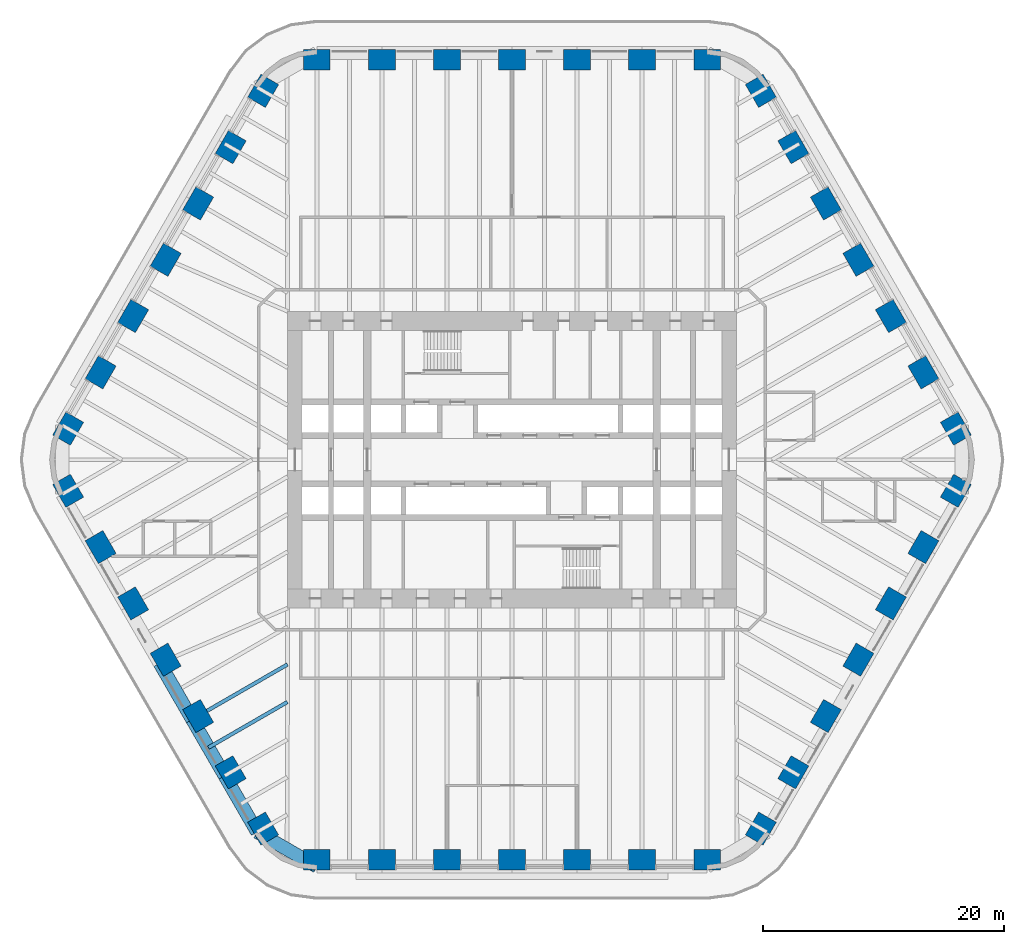
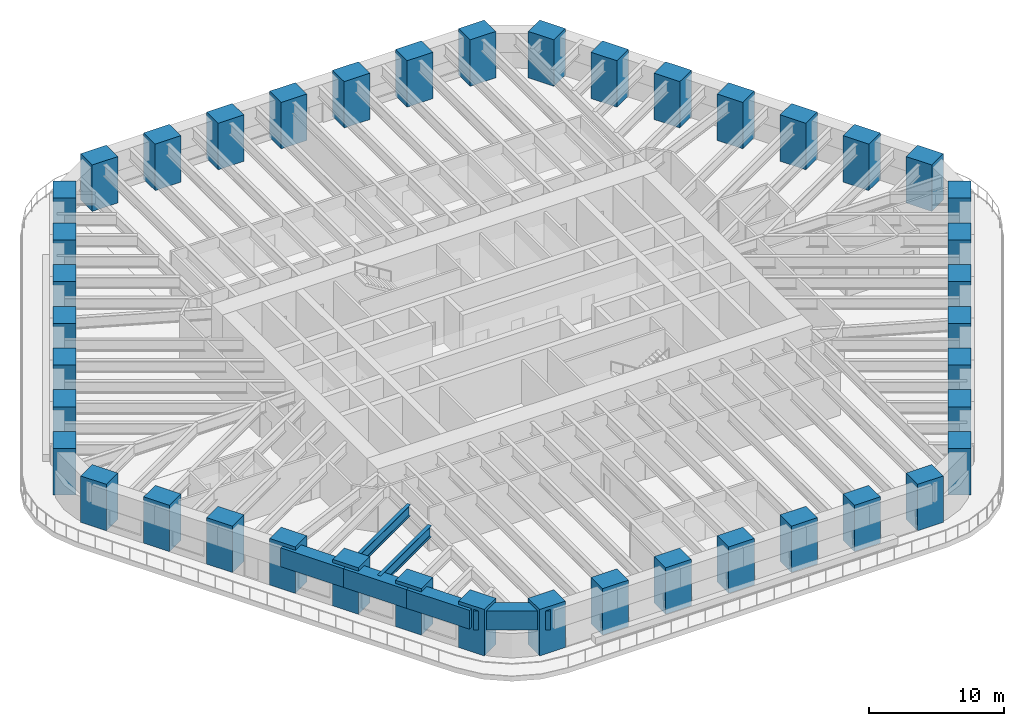
# One storey, part 1 of 16: 42 columns, 6 beams.
"""IFC4 building model written with IfcOpenShell, lengths in metres."""

from ifc_helpers import new_model, si_unit, direction, frame, origin, origin_2d, place, context, subcontext, project, spatial, rectangle, i_section, extrude, material, material_profile, profile_set, type_object, element, save


model = new_model("IFC4")

# Units and contexts
model_context = context("Model", 3, precision=1e-05, world=origin(), true_north=direction((0.0, 1.0)))
body_context = subcontext(model_context, "Body", "Model", "MODEL_VIEW")
ifc_project = project(units=[si_unit("LENGTHUNIT", "METRE"), si_unit("AREAUNIT", "SQUARE_METRE"), si_unit("VOLUMEUNIT", "CUBIC_METRE"), si_unit("PLANEANGLEUNIT", "RADIAN"), si_unit("MASSUNIT", "GRAM", prefix="KILO")], contexts=[model_context])

# Site, building, storey
site_placement = place(None, origin())
site = spatial("IfcSite", under=ifc_project, at=site_placement, CompositionType="ELEMENT")
building_placement = place(site_placement, origin())
building = spatial("IfcBuilding", under=site, at=building_placement, Name="Tarfa Lantern Tower", CompositionType="ELEMENT")
storey_placement = place(building_placement, frame((0.0, 0.0, 103.300048828125)))
storey = spatial("IfcBuildingStorey", under=building, at=storey_placement, Name="L23", CompositionType="ELEMENT", Elevation=103.300048828125)

# Columns
ifc_material_1 = material(Name="Concrete C80/95", Category="concrete")
ifc_material_profile_1 = material_profile(ifc_material_1, rectangle(XDim=2.199951171875, YDim=1.699951171875, at=origin_2d()), Name="RC 2200x1700")
ifc_profile_set_1 = profile_set([ifc_material_profile_1], Name="Concrete C80/95")
column_type = type_object("IfcColumnType", Name="TL1 RC 2200x1700", PredefinedType="COLUMN", material=ifc_profile_set_1)
for number, where, z_axis, x_axis, name in (
    (1, (36.791748046875, 2.574951171875, 0.0), (0.0, 0.0, 1.0), (-0.5, 0.866025403784, 0.0), "Tube column NE0"),
    (2, (34.097412109375, 7.24169921875, 0.0), (0.0, 0.0, 1.0), (-0.5, 0.866025403784, 0.0), "Tube column NE1"),
    (3, (31.403076171875, 11.908447265625, 0.0), (0.0, 0.0, 1.0), (-0.5, 0.866025403784, 0.0), "Tube column NE2"),
    (4, (28.708740234375, 16.574951171875, 0.0), (0.0, 0.0, 1.0), (-0.5, 0.866025403784, 0.0), "Tube column NE3"),
    (5, (26.014404296875, 21.24169921875, 0.0), (0.0, 0.0, 1.0), (-0.5, 0.866025403784, 0.0), "Tube column NE4"),
    (6, (23.320068359375, 25.908447265625, 0.0), (0.0, 0.0, 1.0), (-0.5, 0.866025403784, 0.0), "Tube column NE5"),
    (7, (20.625732421875, 30.574951171875, 0.0), (0.0, 0.0, 1.0), (-0.5, 0.866025403784, 0.0), "Tube column NE6"),
    (8, (16.165771484375, 33.14990234375, 0.0), (0.0, 0.0, 1.0), (-1.0, 0.0, 0.0), "Tube column N0"),
    (9, (10.777099609375, 33.14990234375, 0.0), (0.0, 0.0, 1.0), (-1.0, 0.0, 0.0), "Tube column N1"),
    (10, (5.388671875, 33.14990234375, 0.0), (0.0, 0.0, 1.0), (-1.0, 0.0, 0.0), "Tube column N2"),
    (11, (0.0, 33.14990234375, 0.0), (0.0, 0.0, 1.0), (-1.0, 0.0, 0.0), "Tube column N3"),
    (12, (-5.388671875, 33.14990234375, 0.0), (0.0, 0.0, 1.0), (-1.0, 0.0, 0.0), "Tube column N4"),
    (13, (-10.777099609375, 33.14990234375, 0.0), (0.0, 0.0, 1.0), (-1.0, 0.0, 0.0), "Tube column N5"),
    (14, (-16.165771484375, 33.14990234375, 0.0), (0.0, 0.0, 1.0), (-1.0, 0.0, 0.0), "Tube column N6"),
    (15, (-20.625732421875, 30.574951171875, 0.0), (0.0, 0.0, 1.0), (-0.5, -0.866025403784, 0.0), "Tube column NW0"),
    (16, (-23.320068359375, 25.908447265625, 0.0), (0.0, 0.0, 1.0), (-0.5, -0.866025403784, 0.0), "Tube column NW1"),
    (17, (-26.014404296875, 21.24169921875, 0.0), (0.0, 0.0, 1.0), (-0.5, -0.866025403784, 0.0), "Tube column NW2"),
    (18, (-28.708740234375, 16.574951171875, 0.0), (0.0, 0.0, 1.0), (-0.5, -0.866025403784, 0.0), "Tube column NW3"),
    (19, (-31.403076171875, 11.908447265625, 0.0), (0.0, 0.0, 1.0), (-0.5, -0.866025403784, 0.0), "Tube column NW4"),
    (20, (-34.097412109375, 7.24169921875, 0.0), (0.0, 0.0, 1.0), (-0.5, -0.866025403784, 0.0), "Tube column NW5"),
    (21, (-36.791748046875, 2.574951171875, 0.0), (0.0, 0.0, 1.0), (-0.5, -0.866025403784, 0.0), "Tube column NW6"),
    (22, (-36.791748046875, -2.574951171875, 0.0), (0.0, 0.0, 1.0), (0.5, -0.866025403784, 0.0), "Tube column SW0"),
    (23, (-34.097412109375, -7.24169921875, 0.0), (0.0, 0.0, 1.0), (0.5, -0.866025403784, 0.0), "Tube column SW1"),
    (24, (-31.403076171875, -11.908447265625, 0.0), (0.0, 0.0, 1.0), (0.5, -0.866025403784, 0.0), "Tube column SW2"),
    (25, (-28.708740234375, -16.574951171875, 0.0), (0.0, 0.0, 1.0), (0.5, -0.866025403784, 0.0), "Tube column SW3"),
    (26, (-26.014404296875, -21.24169921875, 0.0), (0.0, 0.0, 1.0), (0.5, -0.866025403784, 0.0), "Tube column SW4"),
    (27, (-23.320068359375, -25.908447265625, 0.0), (0.0, 0.0, 1.0), (0.5, -0.866025403784, 0.0), "Tube column SW5"),
    (28, (-20.625732421875, -30.574951171875, 0.0), (0.0, 0.0, 1.0), (0.5, -0.866025403784, 0.0), "Tube column SW6"),
    (29, (-16.165771484375, -33.14990234375, 0.0), (0.0, 0.0, 1.0), (1.0, 0.0, 0.0), "Tube column S0"),
    (30, (-10.777099609375, -33.14990234375, 0.0), (0.0, 0.0, 1.0), (1.0, 0.0, 0.0), "Tube column S1"),
    (31, (-5.388671875, -33.14990234375, 0.0), (0.0, 0.0, 1.0), (1.0, 0.0, 0.0), "Tube column S2"),
    (32, (0.0, -33.14990234375, 0.0), (0.0, 0.0, 1.0), (1.0, 0.0, 0.0), "Tube column S3"),
    (33, (5.388671875, -33.14990234375, 0.0), (0.0, 0.0, 1.0), (1.0, 0.0, 0.0), "Tube column S4"),
    (34, (10.777099609375, -33.14990234375, 0.0), (0.0, 0.0, 1.0), (1.0, 0.0, 0.0), "Tube column S5"),
    (35, (16.165771484375, -33.14990234375, 0.0), (0.0, 0.0, 1.0), (1.0, 0.0, 0.0), "Tube column S6"),
    (36, (20.625732421875, -30.574951171875, 0.0), (0.0, 0.0, 1.0), (0.5, 0.866025403784, 0.0), "Tube column SE0"),
    (37, (23.320068359375, -25.908447265625, 0.0), (0.0, 0.0, 1.0), (0.5, 0.866025403784, 0.0), "Tube column SE1"),
    (38, (26.014404296875, -21.24169921875, 0.0), (0.0, 0.0, 1.0), (0.5, 0.866025403784, 0.0), "Tube column SE2"),
    (39, (28.708740234375, -16.574951171875, 0.0), (0.0, 0.0, 1.0), (0.5, 0.866025403784, 0.0), "Tube column SE3"),
    (40, (31.403076171875, -11.908447265625, 0.0), (0.0, 0.0, 1.0), (0.5, 0.866025403784, 0.0), "Tube column SE4"),
    (41, (34.097412109375, -7.24169921875, 0.0), (0.0, 0.0, 1.0), (0.5, 0.866025403784, 0.0), "Tube column SE5"),
    (42, (36.791748046875, -2.574951171875, 0.0), (0.0, 0.0, 1.0), (0.5, 0.866025403784, 0.0), "Tube column SE6"),
):
    element("IfcColumn", number, at=place(storey_placement, frame(where, z_axis=z_axis, x_axis=x_axis)), inside=storey, type_object=column_type, Name=name, PredefinedType="COLUMN", context=body_context, shape_type="SweptSolid", body=[
        extrude(rectangle(XDim=2.199951171875, YDim=1.699951171875, at=origin_2d()), origin(), (0.0, 0.0, 1.0), 4.199951171875),
    ])

# Beams
ifc_material_profile_2 = material_profile(ifc_material_1, rectangle(XDim=1.10009765625, YDim=1.699951171875, at=origin_2d()), Name="RC 1100x1700")
ifc_profile_set_2 = profile_set([ifc_material_profile_2], Name="Concrete C80/95")
beam_type_1 = type_object("IfcBeamType", Name="RB1 RC 1100x1700", PredefinedType="BEAM", material=ifc_profile_set_2)
beam_1_placement = place(storey_placement, frame((-29.202392578125, -16.860107421875, 3.050048828125), z_axis=(0.500017906299, -0.866015065331, 0.0), x_axis=(0.866015065331, 0.500017906299, 0.0)))
element("IfcBeam", 43, at=beam_1_placement, inside=storey, type_object=beam_type_1, Name="Edge beam SW3", PredefinedType="BEAM", context=body_context, shape_type="SweptSolid", body=[
    extrude(rectangle(XDim=1.10009765625, YDim=1.699951171875, at=origin_2d()), origin(), (0.0, 0.0, 1.0), 5.388427734375),
])
for number, where, z_axis, x_axis, name in (
    (44, (-26.508056640625, -21.526611328125, 3.050048828125), (0.499998287579, -0.866026392449, 0.0), (0.866026392449, 0.499998287579, 0.0), "Edge beam SW4"),
    (45, (-23.813720703125, -26.193359375, 3.050048828125), (0.499998287579, -0.866026392449, 0.0), (0.866026392449, 0.499998287579, 0.0), "Edge beam SW5"),
):
    element("IfcBeam", number, at=place(storey_placement, frame(where, z_axis=z_axis, x_axis=x_axis)), inside=storey, type_object=beam_type_1, Name=name, PredefinedType="BEAM", context=body_context, shape_type="SweptSolid", body=[
        extrude(rectangle(XDim=1.10009765625, YDim=1.699951171875, at=origin_2d()), origin(), (0.0, 0.0, 1.0), 5.388671875),
    ])
beam_2_placement = place(storey_placement, frame((-21.119384765625, -30.860107421875, 3.050048828125), z_axis=(0.866033479681, -0.499986011877, 0.0), x_axis=(0.499986011877, 0.866033479681, 0.0)))
element("IfcBeam", 46, at=beam_2_placement, inside=storey, type_object=beam_type_1, Name="Edge beam SW6", PredefinedType="BEAM", context=body_context, shape_type="SweptSolid", body=[
    extrude(rectangle(XDim=1.10009765625, YDim=1.699951171875, at=origin_2d()), origin(), (0.0, 0.0, 1.0), 5.719970703125),
])
ifc_material_2 = material(Name="Steel S460M", Category="steel")
ifc_material_profile_3 = material_profile(ifc_material_2, i_section(OverallWidth=0.302001953125, OverallDepth=1.008056640625, WebThickness=0.02099609375, FlangeThickness=0.0400390625, FilletRadius=0.030029296875, at=origin_2d()), Name="UB1016x305x349")
ifc_profile_set_3 = profile_set([ifc_material_profile_3], Name="Steel S460M")
beam_type_2 = type_object("IfcBeamType", Name="UB1016x305x349", PredefinedType="BEAM", material=ifc_profile_set_3)
beam_3_placement = place(storey_placement, frame((-26.508056640625, -21.526611328125, 3.39599609375), z_axis=(0.866035355799, 0.49998276221, 0.0), x_axis=(-0.49998276221, 0.866035355799, 0.0)))
element("IfcBeam", 47, at=beam_3_placement, inside=storey, type_object=beam_type_2, Name="Floor beam SW4", PredefinedType="BEAM", context=body_context, shape_type="SweptSolid", body=[
    extrude(i_section(OverallWidth=0.302001953125, OverallDepth=1.008056640625, WebThickness=0.02099609375, FlangeThickness=0.0400390625, FilletRadius=0.030029296875, at=origin_2d()), origin(), (0.0, 0.0, 1.0), 9.119873046875),
])
beam_4_placement = place(storey_placement, frame((-25.160888671875, -23.860107421875, 3.39599609375), z_axis=(0.866009650502, 0.500027284493, 0.0), x_axis=(-0.500027284493, 0.866009650502, 0.0)))
element("IfcBeam", 48, at=beam_4_placement, inside=storey, type_object=beam_type_2, Name="Floor beam SW4M", PredefinedType="BEAM", context=body_context, shape_type="SweptSolid", body=[
    extrude(i_section(OverallWidth=0.302001953125, OverallDepth=1.008056640625, WebThickness=0.02099609375, FlangeThickness=0.0400390625, FilletRadius=0.030029296875, at=origin_2d()), origin(), (0.0, 0.0, 1.0), 7.556640625),
])

save(model, "model.ifc")
